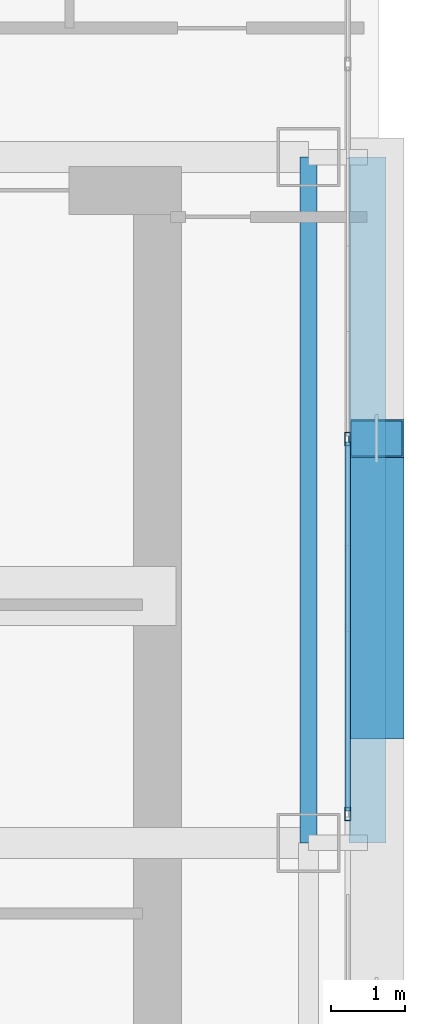
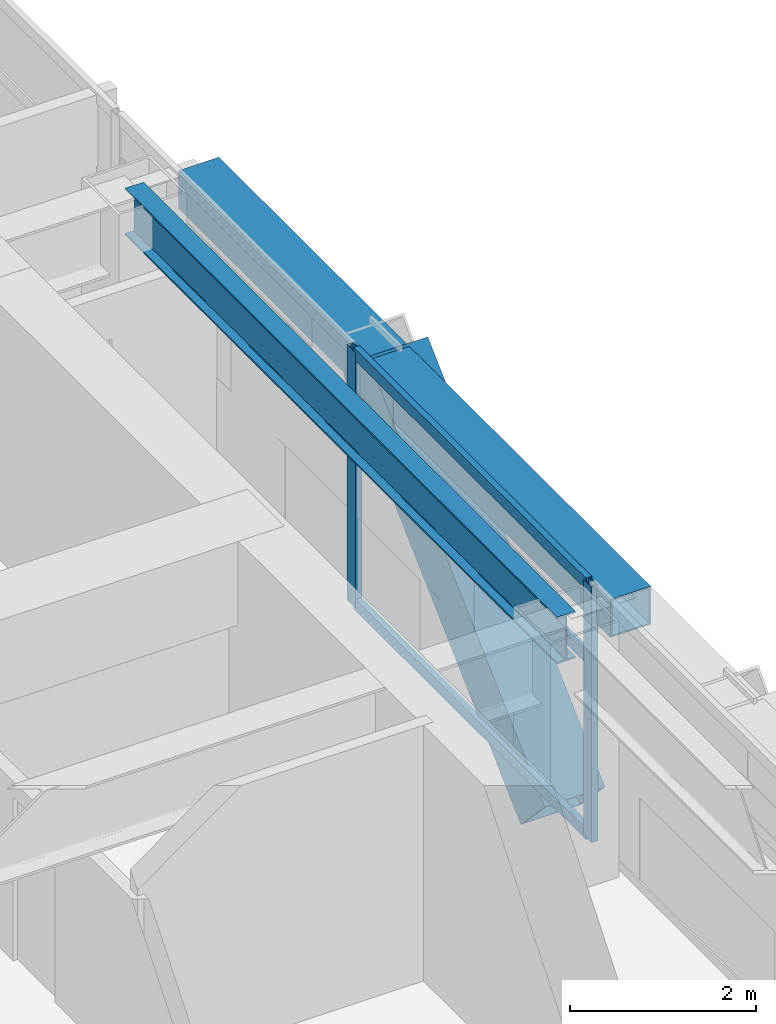
# One storey, part 15 of 35: 6 members, 2 beams, 1 element without a shape of its own.
"""IFC4 building model written with IfcOpenShell, lengths in metres."""

from ifc_helpers import new_model, si_unit, direction, frame, origin, origin_2d, place, context, subcontext, project, spatial, hollow_rectangle, i_section, extrude, source, transform, mapped, material, layer, layer_set, material_profile, profile_set, type_object, element, aggregate, save


model = new_model("IFC4")

# Units and contexts
model_context = context("Model", 3, precision=1e-05, world=origin(), true_north=direction((0.0, 1.0)))
body_context = subcontext(model_context, "Body", "Model", "MODEL_VIEW")
ifc_project = project(units=[si_unit("LENGTHUNIT", "METRE"), si_unit("AREAUNIT", "SQUARE_METRE"), si_unit("VOLUMEUNIT", "CUBIC_METRE"), si_unit("PLANEANGLEUNIT", "RADIAN"), si_unit("MASSUNIT", "GRAM", prefix="KILO")], contexts=[model_context])

# Site, building, storey
site_placement = place(None, origin())
site = spatial("IfcSite", under=ifc_project, at=site_placement, CompositionType="ELEMENT")
building_placement = place(site_placement, origin())
building = spatial("IfcBuilding", under=site, at=building_placement, Name="Ocotamira Hotel", CompositionType="ELEMENT")
storey_placement = place(building_placement, frame((0.0, 0.0, 140.39990234375)))
storey = spatial("IfcBuildingStorey", under=building, at=storey_placement, Name="L35", CompositionType="ELEMENT", Elevation=140.39990234375)

# Beams
ifc_material_1 = material(Name="Steel ASTM A992 Grade 50", Category="steel")
ifc_material_profile_1 = material_profile(ifc_material_1, i_section(OverallWidth=0.22998046875, OverallDepth=0.616943359375, WebThickness=0.01318359375, FlangeThickness=0.022216796875, FilletRadius=0.012939453125, at=origin_2d()), Name="W24X94")
ifc_profile_set_1 = profile_set([ifc_material_profile_1], Name="Steel ASTM A992 Grade 50")
beam_type_1 = type_object("IfcBeamType", Name="BM-PRIM-W24X94", PredefinedType="BEAM", material=ifc_profile_set_1)
shared_shape_1 = source(origin(), body_context, "Body", "SweptSolid", [
    extrude(i_section(OverallWidth=0.22998046875, OverallDepth=0.616943359375, WebThickness=0.01318359375, FlangeThickness=0.022216796875, FilletRadius=0.012939453125, at=origin_2d()), origin(), (0.0, 0.0, 1.0), 9.300048828125),
])
beam_1_placement = place(storey_placement, frame((55.050048828125, 28.14990234375, 3.051513671875), z_axis=(0.0, 1.0, 0.0), x_axis=(-1.0, 0.0, 0.0)))
element("IfcBeam", 1, at=beam_1_placement, inside=storey, type_object=beam_type_1, Name="L35 Beam X55.05 Y28.15-37.45", PredefinedType="BEAM", context=body_context, shape_type="MappedRepresentation", body=[
    mapped(shared_shape_1, transform((0.0, 0.0, 0.0), scale=1.0)),
])
ifc_material_2 = material(Name="Steel ASTM A500 Grade C", Category="steel")
ifc_material_profile_2 = material_profile(ifc_material_2, hollow_rectangle(XDim=0.5, YDim=0.5, WallThickness=0.02001953125, at=origin_2d()), Name="HSS500X500X20")
ifc_profile_set_2 = profile_set([ifc_material_profile_2], Name="Steel ASTM A500 Grade C")
beam_type_2 = type_object("IfcBeamType", Name="BM-SPAN-HSS500", PredefinedType="USERDEFINED", material=ifc_profile_set_2)
shared_shape_2 = source(origin(), body_context, "Body", "SweptSolid", [
    extrude(hollow_rectangle(XDim=0.5, YDim=0.5, WallThickness=0.02001953125, at=origin_2d()), origin(), (0.0, 0.0, 1.0), 9.300048828125),
])
beam_2_placement = place(storey_placement, frame((55.85009765625, 28.14990234375, 3.110107421875), z_axis=(0.0, 1.0, 0.0), x_axis=(-1.0, 0.0, 0.0)))
element("IfcBeam", 2, at=beam_2_placement, inside=storey, type_object=beam_type_2, Name="L35 Edge Spandrel E Y28.15-37.45", ObjectType="SPANDREL", PredefinedType="USERDEFINED", context=body_context, shape_type="MappedRepresentation", body=[
    mapped(shared_shape_2, transform((0.0, 0.0, 0.0), scale=1.0)),
])

# Member
ifc_material_3 = material(Name="Pale-metal coated steel ASTM A913 Grade 65", Category="steel")
ifc_material_profile_3 = material_profile(ifc_material_3, hollow_rectangle(XDim=0.75, YDim=0.75, WallThickness=0.028076171875, at=origin_2d()), Name="BOX750X750X28")
ifc_profile_set_3 = profile_set([ifc_material_profile_3], Name="Pale-metal coated steel ASTM A913 Grade 65")
member_type_1 = type_object("IfcMemberType", Name="MEM-EXO-BOX750", PredefinedType="BRACE", material=ifc_profile_set_3)
shared_shape_3 = source(origin(), body_context, "Body", "SweptSolid", [
    extrude(hollow_rectangle(XDim=0.75, YDim=0.75, WallThickness=0.028076171875, at=origin_2d()), origin(), (0.0, 0.0, 1.0), 5.24658203125),
])
member_1_placement = place(storey_placement, frame((55.969970703125, 29.816650390625, -0.489990234375), z_axis=(0.0, 0.727442733726, 0.686168397078), x_axis=(-1.0, 0.0, 0.0)))
element("IfcMember", 3, at=member_1_placement, inside=storey, type_object=member_type_1, Name="L35 Exoskeleton Diagrid E2.1", PredefinedType="BRACE", context=body_context, shape_type="MappedRepresentation", body=[
    mapped(shared_shape_3, transform((0.0, 0.0, 0.0), scale=1.0)),
])

# Curtain wall, members
ifc_material_4 = material(Name="Anodised pale-metal aluminium and solar glass", Category="aluminium")
ifc_layer = layer(ifc_material_4, 0.179931640625)
ifc_layer_set = layer_set([ifc_layer], Name="Anodised pale-metal aluminium and solar glass")
curtain_wall_type = type_object("IfcCurtainWallType", Name="CW-SYS3-Z2", PredefinedType="NOTDEFINED", material=ifc_layer_set)
curtain_wall_placement = place(storey_placement, origin())
curtain_wall = element("IfcCurtainWall", 4, at=curtain_wall_placement, inside=storey, type_object=curtain_wall_type, Name="L35 Curtain Wall CW-3 CW-L35-E", PredefinedType="NOTDEFINED")
ifc_material_5 = material(Name="Anodised pale-metal aluminium 6063-T6", Category="aluminium")
ifc_material_profile_4 = material_profile(ifc_material_5, hollow_rectangle(XDim=0.074951171875, YDim=0.14990234375, WallThickness=0.006103515625, at=origin_2d()), Name="HSS150X75X6")
ifc_profile_set_4 = profile_set([ifc_material_profile_4], Name="Anodised pale-metal aluminium 6063-T6")
member_type_2 = type_object("IfcMemberType", Name="CWT-150X75", PredefinedType="USERDEFINED", material=ifc_profile_set_4)
shared_shape_4 = source(origin(), body_context, "Body", "SweptSolid", [
    extrude(hollow_rectangle(XDim=0.074951171875, YDim=0.14990234375, WallThickness=0.006103515625, at=origin_2d()), origin(), (0.0, 0.0, 1.0), 5.005859375),
])
member_2_placement = place(storey_placement, frame((55.580078125, 28.582763671875, 0.03759765625), z_axis=(0.0, 1.0, 0.0), x_axis=(-1.0, 0.0, 0.0)))
member_2 = element("IfcMember", 5, at=member_2_placement, type_object=member_type_2, Name="CW-3 transom 5.1", ObjectType="TRANSOM", PredefinedType="USERDEFINED", context=body_context, shape_type="MappedRepresentation", body=[
    mapped(shared_shape_4, transform((0.0, 0.0, 0.0), scale=1.0)),
])
member_3_placement = place(storey_placement, frame((55.580078125, 28.582763671875, 2.35009765625), z_axis=(0.0, 1.0, 0.0), x_axis=(-1.0, 0.0, 0.0)))
member_3 = element("IfcMember", 6, at=member_3_placement, type_object=member_type_2, Name="CW-3 transom 5.2", ObjectType="TRANSOM", PredefinedType="USERDEFINED", context=body_context, shape_type="MappedRepresentation", body=[
    mapped(shared_shape_4, transform((0.0, 0.0, 0.0), scale=1.0)),
])
member_4_placement = place(storey_placement, frame((55.580078125, 28.582763671875, 3.322509765625), z_axis=(0.0, 1.0, 0.0), x_axis=(-1.0, 0.0, 0.0)))
member_4 = element("IfcMember", 7, at=member_4_placement, type_object=member_type_2, Name="CW-3 transom 5.3", ObjectType="TRANSOM", PredefinedType="USERDEFINED", context=body_context, shape_type="MappedRepresentation", body=[
    mapped(shared_shape_4, transform((0.0, 0.0, 0.0), scale=1.0)),
])
ifc_material_profile_5 = material_profile(ifc_material_5, hollow_rectangle(XDim=0.080078125, YDim=0.179931640625, WallThickness=0.006103515625, at=origin_2d()), Name="HSS180X80X6")
ifc_profile_set_5 = profile_set([ifc_material_profile_5], Name="Anodised pale-metal aluminium 6063-T6")
member_type_3 = type_object("IfcMemberType", Name="CWM-180X75", PredefinedType="MULLION", material=ifc_profile_set_5)
shared_shape_5 = source(origin(), body_context, "Body", "SweptSolid", [
    extrude(hollow_rectangle(XDim=0.080078125, YDim=0.179931640625, WallThickness=0.006103515625, at=origin_2d()), origin(), (0.0, 0.0, 1.0), 3.360107421875),
])
member_5_placement = place(storey_placement, frame((55.580078125, 28.54296875, 0.0), z_axis=(0.0, 0.0, 1.0), x_axis=(-1.0, 0.0, 0.0)))
member_5 = element("IfcMember", 8, at=member_5_placement, type_object=member_type_3, Name="CW-3 mullion 5", PredefinedType="MULLION", context=body_context, shape_type="MappedRepresentation", body=[
    mapped(shared_shape_5, transform((0.0, 0.0, 0.0), scale=1.0)),
])
member_6_placement = place(storey_placement, frame((55.580078125, 33.628662109375, 0.0), z_axis=(0.0, 0.0, 1.0), x_axis=(-1.0, 0.0, 0.0)))
member_6 = element("IfcMember", 9, at=member_6_placement, type_object=member_type_3, Name="CW-3 mullion 6", PredefinedType="MULLION", context=body_context, shape_type="MappedRepresentation", body=[
    mapped(shared_shape_5, transform((0.0, 0.0, 0.0), scale=1.0)),
])
aggregate(curtain_wall, [member_5, member_6, member_2, member_3, member_4])

save(model, "model.ifc")
